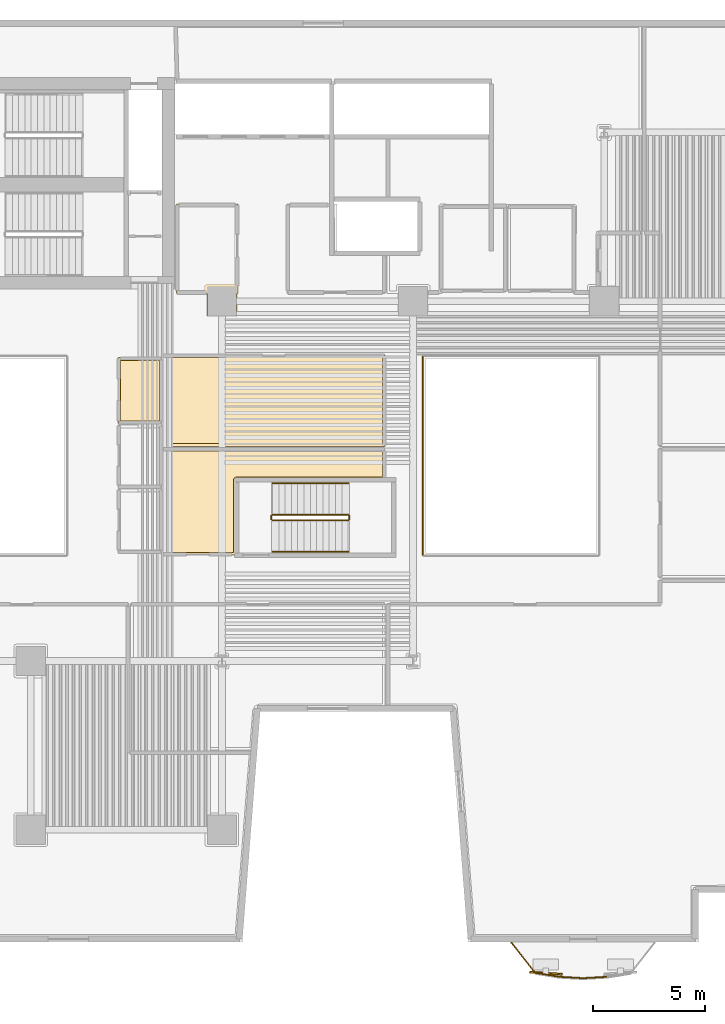
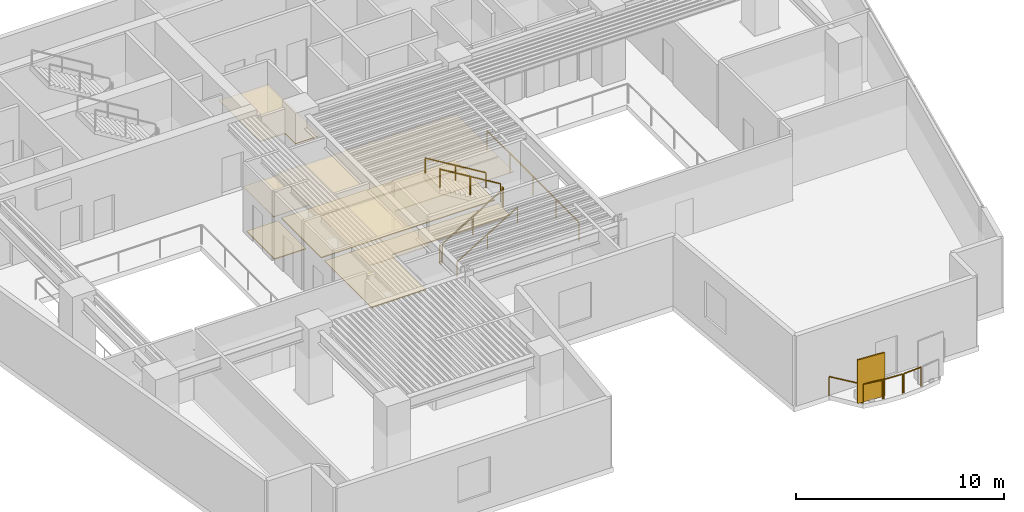
# One storey, part 9 of 12: 11 railings, 7 coverings, 1 shading device.
"""IFC4 building model written with IfcOpenShell, lengths in metres."""

from ifc_helpers import new_model, si_unit, direction, frame, origin, origin_2d, place, context, subcontext, project, spatial, polyline, rectangle, outline, extrude, material, layer, layer_set, type_object, element, save


model = new_model("IFC4")

# Units and contexts
model_context = context("Model", 3, precision=1e-05, world=origin(), true_north=direction((0.0, 1.0)))
body_context = subcontext(model_context, "Body", "Model", "MODEL_VIEW")
ifc_project = project(units=[si_unit("LENGTHUNIT", "METRE"), si_unit("AREAUNIT", "SQUARE_METRE"), si_unit("VOLUMEUNIT", "CUBIC_METRE"), si_unit("PLANEANGLEUNIT", "RADIAN"), si_unit("MASSUNIT", "GRAM", prefix="KILO")], contexts=[model_context])

# Site, building, storey
site_placement = place(None, origin())
site = spatial("IfcSite", under=ifc_project, at=site_placement, CompositionType="ELEMENT")
building_placement = place(site_placement, origin())
building = spatial("IfcBuilding", under=site, at=building_placement, Name="Caeloran Harvest Quay", CompositionType="ELEMENT")
storey_placement = place(building_placement, frame((0.0, 0.0, 71.0)))
storey = spatial("IfcBuildingStorey", under=building, at=storey_placement, Name="L16", CompositionType="ELEMENT", Elevation=71.0)

# Coverings
ifc_material_1 = material(Name="Perforated Mineral-Fibre Acoustic Ceiling Tile", Category="ceiling")
ifc_layer_1 = layer(ifc_material_1, 0.0400390625, Name="Perforated Mineral-Fibre Acoustic Ceiling Tile")
ifc_layer_set_1 = layer_set([ifc_layer_1], Name="Perforated Mineral-Fibre Acoustic Ceiling Tile")
covering_type_1 = type_object("IfcCoveringType", Name="COV-CEILING-ACOUSTIC", PredefinedType="CEILING", material=ifc_layer_set_1)
covering_1_placement = place(storey_placement, frame((0.0, 0.0, 2.60009765625)))
element("IfcCovering", 1, at=covering_1_placement, inside=storey, type_object=covering_type_1, Name="L16 Male Washroom WC Acoustic Ceiling", PredefinedType="CEILING", context=body_context, shape_type="SweptSolid", body=[
    extrude(outline(polyline([(22.840087890625, 25.56005859375), (20.8701171875, 25.56005859375), (20.8701171875, 28.489990234375), (22.840087890625, 28.489990234375), (22.840087890625, 25.56005859375)])), origin(), (0.0, 0.0, 1.0), 0.039794921875),
])
covering_2_placement = place(storey_placement, frame((0.0, 0.0, 2.60009765625)))
element("IfcCovering", 2, at=covering_2_placement, inside=storey, type_object=covering_type_1, Name="Compliance Office Acoustic Ceiling", PredefinedType="CEILING", context=body_context, shape_type="SweptSolid", body=[
    extrude(outline(polyline([(26.139892578125, 23.06005859375), (26.139892578125, 19.7099609375), (22.8701171875, 19.7099609375), (22.8701171875, 24.4599609375), (32.760009765625, 24.4599609375), (32.760009765625, 23.06005859375), (26.139892578125, 23.06005859375)])), origin(), (0.0, 0.0, 1.0), 0.039794921875),
])
covering_3_placement = place(storey_placement, frame((0.0, 0.0, 2.60009765625)))
element("IfcCovering", 3, at=covering_3_placement, inside=storey, type_object=covering_type_1, Name="Harvest Briefing Conference Room Acoustic Ceiling", PredefinedType="CEILING", context=body_context, shape_type="SweptSolid", body=[
    extrude(outline(polyline([(22.8701171875, 28.512939453125), (22.85009765625, 28.52001953125), (22.85009765625, 28.610107421875), (32.760009765625, 28.610107421875), (32.760009765625, 24.5400390625), (22.8701171875, 24.5400390625), (22.8701171875, 28.512939453125)])), origin(), (0.0, 0.0, 1.0), 0.039794921875),
])
covering_4_placement = place(storey_placement, frame((0.0, 0.0, 2.60009765625)))
element("IfcCovering", 4, at=covering_4_placement, inside=storey, type_object=covering_type_1, Name="Dwarf Citrus Mezzanine Growing Hall 9 Acoustic Ceiling", PredefinedType="CEILING", context=body_context, shape_type="SweptSolid", body=[
    extrude(outline(polyline([(26.169921875, 30.330078125), (24.830078125, 30.330078125), (24.830078125, 31.340087890625), (23.469970703125, 31.340087890625), (23.469970703125, 35.32861328125), (23.521728515625, 35.31005859375), (26.2099609375, 35.31005859375), (26.2099609375, 31.340087890625), (26.169921875, 31.340087890625), (26.169921875, 30.330078125)])), origin(), (0.0, 0.0, 1.0), 0.039794921875),
])
ifc_material_2 = material(Name="Calcium-Sulphate Raised Access Floor and Terrazzo Finish", Category="flooring")
ifc_layer_2 = layer(ifc_material_2, 0.050048828125, Name="Calcium-Sulphate Raised Access Floor and Terrazzo Finish")
ifc_layer_set_2 = layer_set([ifc_layer_2], Name="Calcium-Sulphate Raised Access Floor and Terrazzo Finish")
covering_type_2 = type_object("IfcCoveringType", Name="COV-FLOOR-RAISED", PredefinedType="FLOORING", material=ifc_layer_set_2)
covering_5_placement = place(storey_placement, origin())
element("IfcCovering", 5, at=covering_5_placement, inside=storey, type_object=covering_type_2, Name="L16 Male Washroom WC Raised Finish Flooring", PredefinedType="FLOORING", context=body_context, shape_type="SweptSolid", body=[
    extrude(outline(polyline([(22.719970703125, 25.679931640625), (20.989990234375, 25.679931640625), (20.989990234375, 28.3701171875), (22.719970703125, 28.3701171875), (22.719970703125, 25.679931640625)])), origin(), (0.0, 0.0, 1.0), 0.050048828125),
])
covering_6_placement = place(storey_placement, origin())
element("IfcCovering", 6, at=covering_6_placement, inside=storey, type_object=covering_type_2, Name="Compliance Office Raised Finish Flooring", PredefinedType="FLOORING", context=body_context, shape_type="SweptSolid", body=[
    extrude(outline(polyline([(26.101806640625, 23.17626953125), (26.04248046875, 23.13671875), (26.02001953125, 23.070068359375), (26.02001953125, 19.830078125), (22.989990234375, 19.830078125), (22.989990234375, 24.340087890625), (32.639892578125, 24.340087890625), (32.639892578125, 23.179931640625), (26.101806640625, 23.17626953125)])), origin(), (0.0, 0.0, 1.0), 0.050048828125),
])
covering_7_placement = place(storey_placement, origin())
element("IfcCovering", 7, at=covering_7_placement, inside=storey, type_object=covering_type_2, Name="Harvest Briefing Conference Room Raised Finish Flooring", PredefinedType="FLOORING", context=body_context, shape_type="SweptSolid", body=[
    extrude(outline(polyline([(22.989990234375, 28.489990234375), (32.639892578125, 28.489990234375), (32.639892578125, 24.659912109375), (22.989990234375, 24.659912109375), (22.989990234375, 28.489990234375)])), origin(), (0.0, 0.0, 1.0), 0.050048828125),
])

# Railings
ifc_material_3 = material(Name="Powder-Coated Steel Post and Laminated Glass Guardrail", Category="steel")
ifc_layer_3 = layer(ifc_material_3, 0.06005859375, Name="Powder-Coated Steel Post and Laminated Glass Guardrail")
ifc_layer_set_3 = layer_set([ifc_layer_3], Name="Powder-Coated Steel Post and Laminated Glass Guardrail")
railing_type_1 = type_object("IfcRailingType", Name="GUARD-ATRIUM-1150", PredefinedType="GUARDRAIL", material=ifc_layer_set_3)
railing_1_placement = place(storey_placement, frame((34.429931640625, 28.5380859375, 0.0)))
element("IfcRailing", 8, at=railing_1_placement, inside=storey, type_object=railing_type_1, Name="L16 East Botanical Lightwell Guardrail Seg 4", PredefinedType="GUARDRAIL", context=body_context, shape_type="SweptSolid", body=[
    extrude(rectangle(XDim=0.048095703125, YDim=0.048095703125, at=origin_2d()), frame((0.0, 0.0, 1.1259765625), z_axis=(0.0, -1.0, 0.0), x_axis=(1.0, 0.0, 0.0)), (0.0, 0.0, 1.0), 8.826171875),
    extrude(rectangle(XDim=0.0419921875, YDim=0.0419921875, at=origin_2d()), origin(), (0.0, 0.0, 1.0), 1.101806640625),
    extrude(rectangle(XDim=0.0419921875, YDim=0.0419921875, at=origin_2d()), frame((0.0, -2.20654296875, 0.0)), (0.0, 0.0, 1.0), 1.101806640625),
    extrude(rectangle(XDim=0.0419921875, YDim=0.0419921875, at=origin_2d()), frame((0.0, -4.4130859375, 0.0)), (0.0, 0.0, 1.0), 1.101806640625),
    extrude(rectangle(XDim=0.0419921875, YDim=0.0419921875, at=origin_2d()), frame((0.0, -6.61962890625, 0.0)), (0.0, 0.0, 1.0), 1.101806640625),
    extrude(rectangle(XDim=0.0419921875, YDim=0.0419921875, at=origin_2d()), frame((0.0, -8.826171875, 0.0)), (0.0, 0.0, 1.0), 1.101806640625),
])
ifc_material_4 = material(Name="Laminated Safety Glass and Stainless Steel 316", Category="steel")
ifc_layer_4 = layer(ifc_material_4, 0.06005859375, Name="Laminated Safety Glass and Stainless Steel 316")
ifc_layer_set_4 = layer_set([ifc_layer_4], Name="Laminated Safety Glass and Stainless Steel 316")
railing_type_2 = type_object("IfcRailingType", Name="GUARD-BALUSTRADE-1150", PredefinedType="BALUSTRADE", material=ifc_layer_set_4)
railing_2_placement = place(storey_placement, frame((42.5908203125, 0.958251953125, 0.0)))
element("IfcRailing", 9, at=railing_2_placement, inside=storey, type_object=railing_type_2, Name="L16 Planted Balcony Perimeter Balustrade Guard Seg 3", PredefinedType="BALUSTRADE", context=body_context, shape_type="SweptSolid", body=[
    extrude(rectangle(XDim=0.048095703125, YDim=0.048095703125, at=origin_2d()), frame((0.0, 0.0, 1.1259765625), z_axis=(-0.998232119569, -0.059435977837, 0.0), x_axis=(0.059435977837, -0.998232119569, 0.0)), (0.0, 0.0, 1.0), 1.002197265625),
    extrude(rectangle(XDim=0.0419921875, YDim=0.0419921875, at=origin_2d()), origin(), (0.0, 0.0, 1.0), 1.101806640625),
    extrude(rectangle(XDim=0.0419921875, YDim=0.0419921875, at=origin_2d()), frame((-1.00048828125, -0.0595703125, 0.0)), (0.0, 0.0, 1.0), 1.101806640625),
])
railing_3_placement = place(storey_placement, frame((41.526611328125, 0.898681640625, 0.0)))
element("IfcRailing", 10, at=railing_3_placement, inside=storey, type_object=railing_type_2, Name="L16 Planted Balcony Perimeter Balustrade Guard Seg 4", PredefinedType="BALUSTRADE", context=body_context, shape_type="SweptSolid", body=[
    extrude(rectangle(XDim=0.048095703125, YDim=0.048095703125, at=origin_2d()), frame((0.0, 0.0, 1.1259765625), z_axis=(-0.998232119569, 0.059435977837, 0.0), x_axis=(-0.059435977837, -0.998232119569, 0.0)), (0.0, 0.0, 1.0), 1.002197265625),
    extrude(rectangle(XDim=0.0419921875, YDim=0.0419921875, at=origin_2d()), origin(), (0.0, 0.0, 1.0), 1.101806640625),
    extrude(rectangle(XDim=0.0419921875, YDim=0.0419921875, at=origin_2d()), frame((-1.00048828125, 0.0595703125, 0.0)), (0.0, 0.0, 1.0), 1.101806640625),
])
railing_4_placement = place(storey_placement, frame((40.462646484375, 0.96533203125, 0.0)))
element("IfcRailing", 11, at=railing_4_placement, inside=storey, type_object=railing_type_2, Name="L16 Planted Balcony Perimeter Balustrade Guard Seg 5", PredefinedType="BALUSTRADE", context=body_context, shape_type="SweptSolid", body=[
    extrude(rectangle(XDim=0.048095703125, YDim=0.048095703125, at=origin_2d()), frame((0.0, 0.0, 1.1259765625), z_axis=(-0.986979726228, 0.160844707763, 0.0), x_axis=(-0.160844707763, -0.986979726228, 0.0)), (0.0, 0.0, 1.0), 1.013916015625),
    extrude(rectangle(XDim=0.0419921875, YDim=0.0419921875, at=origin_2d()), origin(), (0.0, 0.0, 1.0), 1.101806640625),
    extrude(rectangle(XDim=0.0419921875, YDim=0.0419921875, at=origin_2d()), frame((-1.000732421875, 0.1630859375, 0.0)), (0.0, 0.0, 1.0), 1.101806640625),
])
railing_5_placement = place(storey_placement, frame((39.410400390625, 1.158447265625, 0.0)))
element("IfcRailing", 12, at=railing_5_placement, inside=storey, type_object=railing_type_2, Name="L16 Planted Balcony Perimeter Balustrade Guard Seg 6", PredefinedType="BALUSTRADE", context=body_context, shape_type="SweptSolid", body=[
    extrude(rectangle(XDim=0.048095703125, YDim=0.048095703125, at=origin_2d()), frame((0.0, 0.0, 1.1259765625), z_axis=(-0.620053053858, 0.784559883248, 0.0), x_axis=(-0.784559883248, -0.620053053858, 0.0)), (0.0, 0.0, 1.0), 1.684326171875),
    extrude(rectangle(XDim=0.0419921875, YDim=0.0419921875, at=origin_2d()), origin(), (0.0, 0.0, 1.0), 1.101806640625),
    extrude(rectangle(XDim=0.0419921875, YDim=0.0419921875, at=origin_2d()), frame((-1.04443359375, 1.321533203125, 0.0)), (0.0, 0.0, 1.0), 1.101806640625),
])

# Shading device
ifc_material_5 = material(Name="3003-H14 Perforated Powder-Coated Aluminium", Category="aluminium")
shading_device_type = type_object("IfcShadingDeviceType", Name="SHADE-SCREEN-FOLDED", PredefinedType="USERDEFINED", material=ifc_material_5)
shading_device_placement = place(storey_placement, frame((39.8984375, 1.121337890625, 0.0751953125), z_axis=(0.0, 0.0, 1.0), x_axis=(0.997801468292, -0.0662739004, 0.0)))
element("IfcShadingDevice", 13, at=shading_device_placement, inside=storey, type_object=shading_device_type, Name="L16 Folded Facade Breathing Screen 2", ObjectType="SCREEN", PredefinedType="USERDEFINED", context=body_context, shape_type="SweptSolid", body=[
    extrude(rectangle(XDim=1.449951171875, YDim=0.080078125, at=origin_2d()), origin(), (0.0, 0.0, 1.0), 2.550048828125),
])

# Railings
ifc_material_6 = material(Name="Painted Steel Baluster and Top-Rail Stair Guard", Category="steel")
ifc_layer_5 = layer(ifc_material_6, 0.050048828125, Name="Painted Steel Baluster and Top-Rail Stair Guard")
ifc_layer_set_5 = layer_set([ifc_layer_5], Name="Painted Steel Baluster and Top-Rail Stair Guard")
railing_type_3 = type_object("IfcRailingType", Name="STAIR-GUARD-1100", PredefinedType="GUARDRAIL", material=ifc_layer_set_5)
railing_6_placement = place(storey_placement, frame((27.75, 21.25, 0.169189453125)))
element("IfcRailing", 14, at=railing_6_placement, inside=storey, type_object=railing_type_3, Name="L16 ST-W1 stair guard 1", PredefinedType="GUARDRAIL", context=body_context, shape_type="SweptSolid", body=[
    extrude(rectangle(XDim=0.048095703125, YDim=0.048095703125, at=origin_2d()), frame((0.0, 0.0, 1.076171875), z_axis=(0.855836976705, 0.0, 0.517245656632), x_axis=(0.0, 1.0, 0.0)), (0.0, 0.0, 1.0), 3.926025390625),
    extrude(rectangle(XDim=0.0419921875, YDim=0.0419921875, at=origin_2d()), origin(), (0.0, 0.0, 1.0), 1.052001953125),
    extrude(rectangle(XDim=0.0419921875, YDim=0.0419921875, at=origin_2d()), frame((1.68017578125, 0.0, 1.015380859375)), (0.0, 0.0, 1.0), 1.052001953125),
    extrude(rectangle(XDim=0.0419921875, YDim=0.0419921875, at=origin_2d()), frame((3.360107421875, 0.0, 2.03076171875)), (0.0, 0.0, 1.0), 1.052001953125),
])
railing_7_placement = place(storey_placement, frame((31.159912109375, 21.300048828125, 2.199951171875)))
element("IfcRailing", 15, at=railing_7_placement, inside=storey, type_object=railing_type_3, Name="L16 ST-W1 stair guard 2", PredefinedType="GUARDRAIL", context=body_context, shape_type="SweptSolid", body=[
    extrude(rectangle(XDim=0.048095703125, YDim=0.048095703125, at=origin_2d()), frame((0.0, 0.0, 1.076171875), z_axis=(0.0, 1.0, 0.0), x_axis=(-1.0, 0.0, 0.0)), (0.0, 0.0, 1.0), 0.14990234375),
    extrude(rectangle(XDim=0.0419921875, YDim=0.0419921875, at=origin_2d()), origin(), (0.0, 0.0, 1.0), 1.052001953125),
    extrude(rectangle(XDim=0.0419921875, YDim=0.0419921875, at=origin_2d()), frame((0.0, 0.14990234375, 0.0)), (0.0, 0.0, 1.0), 1.052001953125),
])
railing_8_placement = place(storey_placement, frame((31.110107421875, 21.5, 2.369140625)))
element("IfcRailing", 16, at=railing_8_placement, inside=storey, type_object=railing_type_3, Name="L16 ST-W1 stair guard 3", PredefinedType="GUARDRAIL", context=body_context, shape_type="SweptSolid", body=[
    extrude(rectangle(XDim=0.048095703125, YDim=0.048095703125, at=origin_2d()), frame((0.0, 0.0, 1.076171875), z_axis=(-0.855836976705, 0.0, 0.517245656632), x_axis=(0.0, -1.0, 0.0)), (0.0, 0.0, 1.0), 3.926025390625),
    extrude(rectangle(XDim=0.0419921875, YDim=0.0419921875, at=origin_2d()), origin(), (0.0, 0.0, 1.0), 1.052001953125),
    extrude(rectangle(XDim=0.0419921875, YDim=0.0419921875, at=origin_2d()), frame((-1.68017578125, 0.0, 1.015380859375)), (0.0, 0.0, 1.0), 1.052001953125),
    extrude(rectangle(XDim=0.0419921875, YDim=0.0419921875, at=origin_2d()), frame((-3.360107421875, 0.0, 2.03076171875)), (0.0, 0.0, 1.0), 1.052001953125),
])
railing_9_placement = place(storey_placement, frame((27.699951171875, 21.300048828125, 0.0)))
element("IfcRailing", 17, at=railing_9_placement, inside=storey, type_object=railing_type_3, Name="L16 ST-W1 stair guard 4", PredefinedType="GUARDRAIL", context=body_context, shape_type="SweptSolid", body=[
    extrude(rectangle(XDim=0.048095703125, YDim=0.048095703125, at=origin_2d()), frame((0.0, 0.0, 1.076171875), z_axis=(0.0, 1.0, 0.0), x_axis=(-1.0, 0.0, 0.0)), (0.0, 0.0, 1.0), 0.14990234375),
    extrude(rectangle(XDim=0.0419921875, YDim=0.0419921875, at=origin_2d()), origin(), (0.0, 0.0, 1.0), 1.052001953125),
    extrude(rectangle(XDim=0.0419921875, YDim=0.0419921875, at=origin_2d()), frame((0.0, 0.14990234375, 0.0)), (0.0, 0.0, 1.0), 1.052001953125),
])
ifc_material_7 = material(Name="Brushed Stainless Steel Grade 304", Category="steel")
ifc_layer_6 = layer(ifc_material_7, 0.050048828125, Name="Brushed Stainless Steel Grade 304")
ifc_layer_set_6 = layer_set([ifc_layer_6], Name="Brushed Stainless Steel Grade 304")
railing_type_4 = type_object("IfcRailingType", Name="STAIR-HANDRAIL-900", PredefinedType="HANDRAIL", material=ifc_layer_set_6)
railing_10_placement = place(storey_placement, frame((27.75, 19.85009765625, 0.169189453125)))
element("IfcRailing", 18, at=railing_10_placement, inside=storey, type_object=railing_type_4, Name="L16 ST-W1 stair handrail 1", PredefinedType="HANDRAIL", context=body_context, shape_type="SweptSolid", body=[
    extrude(rectangle(XDim=0.048095703125, YDim=0.048095703125, at=origin_2d()), frame((0.0, 0.0, 0.8759765625), z_axis=(0.855836976705, 0.0, 0.517245656632), x_axis=(0.0, 1.0, 0.0)), (0.0, 0.0, 1.0), 3.926025390625),
    extrude(rectangle(XDim=0.0419921875, YDim=0.0419921875, at=origin_2d()), origin(), (0.0, 0.0, 1.0), 0.851806640625),
    extrude(rectangle(XDim=0.0419921875, YDim=0.0419921875, at=origin_2d()), frame((1.68017578125, 0.0, 1.015380859375)), (0.0, 0.0, 1.0), 0.851806640625),
    extrude(rectangle(XDim=0.0419921875, YDim=0.0419921875, at=origin_2d()), frame((3.360107421875, 0.0, 2.03076171875)), (0.0, 0.0, 1.0), 0.851806640625),
])
railing_11_placement = place(storey_placement, frame((31.110107421875, 22.89990234375, 2.369140625)))
element("IfcRailing", 19, at=railing_11_placement, inside=storey, type_object=railing_type_4, Name="L16 ST-W1 stair handrail 2", PredefinedType="HANDRAIL", context=body_context, shape_type="SweptSolid", body=[
    extrude(rectangle(XDim=0.048095703125, YDim=0.048095703125, at=origin_2d()), frame((0.0, 0.0, 0.8759765625), z_axis=(-0.855836976705, 0.0, 0.517245656632), x_axis=(0.0, -1.0, 0.0)), (0.0, 0.0, 1.0), 3.926025390625),
    extrude(rectangle(XDim=0.0419921875, YDim=0.0419921875, at=origin_2d()), origin(), (0.0, 0.0, 1.0), 0.851806640625),
    extrude(rectangle(XDim=0.0419921875, YDim=0.0419921875, at=origin_2d()), frame((-1.68017578125, 0.0, 1.015380859375)), (0.0, 0.0, 1.0), 0.851806640625),
    extrude(rectangle(XDim=0.0419921875, YDim=0.0419921875, at=origin_2d()), frame((-3.360107421875, 0.0, 2.03076171875)), (0.0, 0.0, 1.0), 0.851806640625),
])

save(model, "model.ifc")
